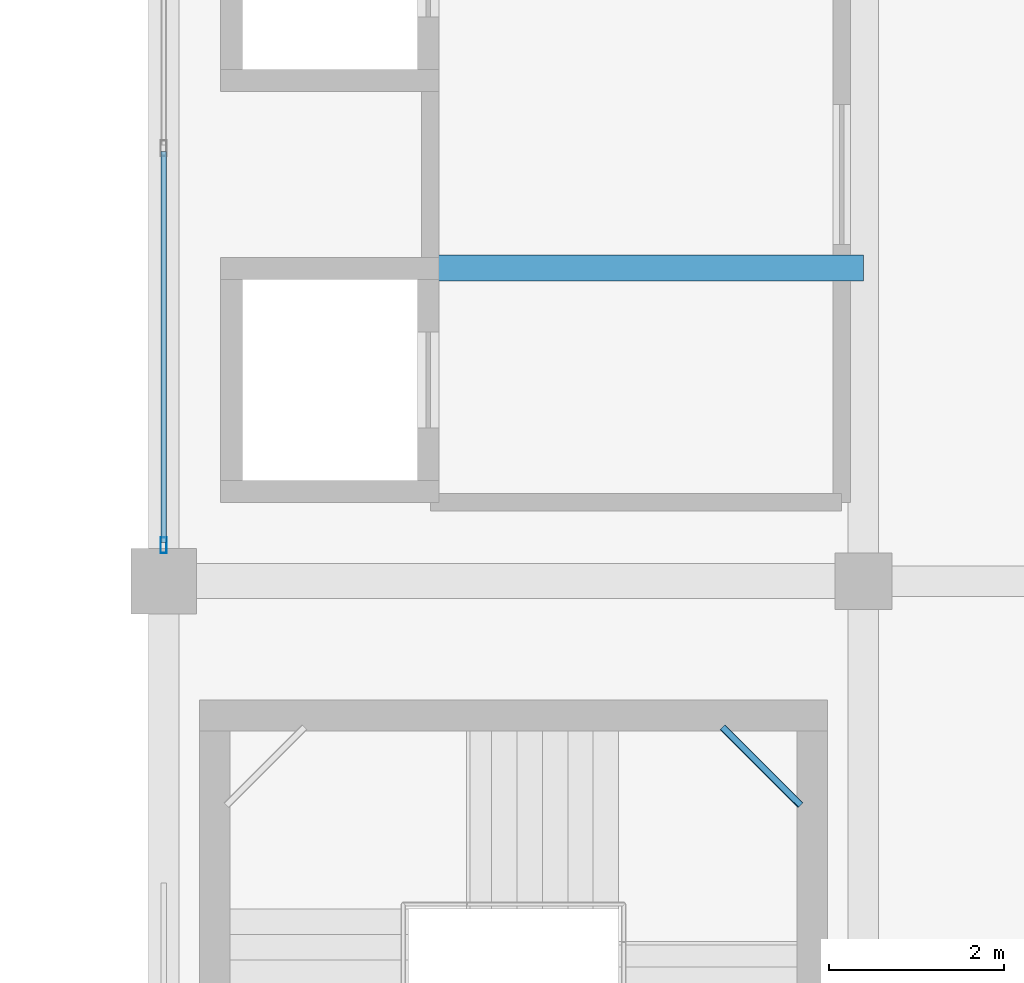
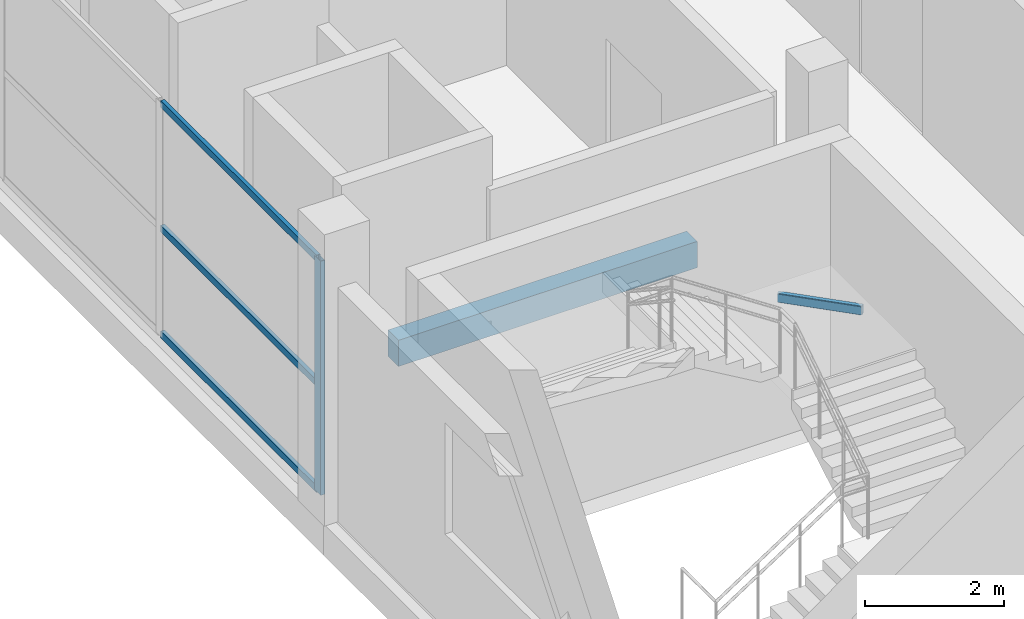
# One storey, part 6 of 67: 4 members, 2 beams, 1 element without a shape of its own.
"""IFC4 building model written with IfcOpenShell, lengths in metres."""

from ifc_helpers import new_model, si_unit, direction, frame, origin, origin_2d, place, context, subcontext, project, spatial, rectangle, hollow_rectangle, extrude, material, layer, layer_set, material_profile, profile_set, type_object, element, aggregate, save


model = new_model("IFC4")

# Units and contexts
model_context = context("Model", 3, precision=1e-05, world=origin(), true_north=direction((0.0, 1.0)))
body_context = subcontext(model_context, "Body", "Model", "MODEL_VIEW")
ifc_project = project(units=[si_unit("LENGTHUNIT", "METRE"), si_unit("AREAUNIT", "SQUARE_METRE"), si_unit("VOLUMEUNIT", "CUBIC_METRE"), si_unit("PLANEANGLEUNIT", "RADIAN"), si_unit("MASSUNIT", "GRAM", prefix="KILO")], contexts=[model_context])

# Site, building, storey
site_placement = place(None, origin())
site = spatial("IfcSite", under=ifc_project, at=site_placement, CompositionType="ELEMENT")
building_placement = place(site_placement, origin())
building = spatial("IfcBuilding", under=site, at=building_placement, Name="Sillaruma Civic Art Gallery", CompositionType="ELEMENT")
storey_placement = place(building_placement, frame((0.0, 0.0, 46.919921875)))
storey = spatial("IfcBuildingStorey", under=building, at=storey_placement, Name="L09", CompositionType="ELEMENT", Elevation=46.919921875)

# Beams
ifc_material_1 = material(Name="Concrete H35 (35 MPa)", Category="concrete")
ifc_material_profile_1 = material_profile(ifc_material_1, rectangle(XDim=0.300048828125, YDim=0.4599609375, at=origin_2d()), Name="RCB300x460")
ifc_profile_set_1 = profile_set([ifc_material_profile_1], Name="Concrete H35 (35 MPa)")
beam_type_1 = type_object("IfcBeamType", Name="BM-LINTEL-RCB300x460", PredefinedType="LINTEL", material=ifc_profile_set_1)
beam_1_placement = place(storey_placement, frame((65.050048828125, 43.179931640625, -0.47998046875), z_axis=(1.0, 0.0, 0.0), x_axis=(0.0, 1.0, 0.0)))
element("IfcBeam", 1, at=beam_1_placement, inside=storey, type_object=beam_type_1, Name="Core Portal Coupling Lintel BL-01 (L08:PL1)", PredefinedType="LINTEL", context=body_context, shape_type="SweptSolid", body=[
    extrude(rectangle(XDim=0.300048828125, YDim=0.4599609375, at=origin_2d()), origin(), (0.0, 0.0, 1.0), 4.949951171875),
])
ifc_material_2 = material(Name="Structural Steel ASTM A500 Gr.C", Category="steel")
ifc_material_profile_2 = material_profile(ifc_material_2, hollow_rectangle(XDim=0.080078125, YDim=0.159912109375, WallThickness=0.008056640625, InnerFilletRadius=0.008056640625, OuterFilletRadius=0.01611328125, at=origin_2d()), Name="HSS160x80x8")
ifc_profile_set_2 = profile_set([ifc_material_profile_2], Name="Structural Steel ASTM A500 Gr.C")
beam_type_2 = type_object("IfcBeamType", Name="BM-LND-HSS160", PredefinedType="BEAM", material=ifc_profile_set_2)
beam_2_placement = place(storey_placement, frame((68.389892578125, 37.929931640625, 2.440185546875), z_axis=(0.707203758046, -0.707009791025, 0.0), x_axis=(0.707009791025, 0.707203758046, 0.0)))
element("IfcBeam", 2, at=beam_2_placement, inside=storey, type_object=beam_type_2, Name="Stair Corner Landing Trimmer Beam (ST-03-L09-2)", PredefinedType="BEAM", context=body_context, shape_type="SweptSolid", body=[
    extrude(hollow_rectangle(XDim=0.080078125, YDim=0.159912109375, WallThickness=0.008056640625, InnerFilletRadius=0.008056640625, OuterFilletRadius=0.01611328125, at=origin_2d()), origin(), (0.0, 0.0, 1.0), 1.2587890625),
])

# Curtain wall, members
ifc_material_3 = material(Name="Thermally Broken Extruded Aluminium 6063-T6", Category="aluminium")
ifc_layer = layer(ifc_material_3, 0.179931640625, Name="Thermally Broken Extruded Aluminium 6063-T6")
ifc_layer_set = layer_set([ifc_layer], Name="Thermally Broken Extruded Aluminium 6063-T6")
curtain_wall_type = type_object("IfcCurtainWallType", Name="CW-UNI-61", PredefinedType="NOTDEFINED", material=ifc_layer_set)
curtain_wall_placement = place(storey_placement, origin())
curtain_wall = element("IfcCurtainWall", 3, at=curtain_wall_placement, inside=storey, type_object=curtain_wall_type, Name="Unitised Curtain Wall CW-61 (CW-L09-WBW-3)", PredefinedType="NOTDEFINED")
ifc_material_profile_3 = material_profile(ifc_material_3, hollow_rectangle(XDim=0.070068359375, YDim=0.179931640625, WallThickness=0.00390625, at=origin_2d()), Name="CWM70x180")
ifc_profile_set_3 = profile_set([ifc_material_profile_3], Name="Thermally Broken Extruded Aluminium 6063-T6")
member_type_1 = type_object("IfcMemberType", Name="MEM-MUL-CWM70x180", PredefinedType="MULLION", material=ifc_profile_set_3)
member_1_placement = place(storey_placement, frame((62.0, 40.010009765625, 0.0), z_axis=(0.0, 0.0, 1.0), x_axis=(-1.0, 0.0, 0.0)))
member_1 = element("IfcMember", 4, at=member_1_placement, type_object=member_type_1, Name="CW-61 mullion 1", PredefinedType="MULLION", context=body_context, shape_type="SweptSolid", body=[
    extrude(hollow_rectangle(XDim=0.070068359375, YDim=0.179931640625, WallThickness=0.00390625, at=origin_2d()), origin(), (0.0, 0.0, 1.0), 4.10009765625),
])
ifc_material_profile_4 = material_profile(ifc_material_3, hollow_rectangle(XDim=0.06494140625, YDim=0.1201171875, WallThickness=0.00341796875, at=origin_2d()), Name="CWT65x120")
ifc_profile_set_4 = profile_set([ifc_material_profile_4], Name="Thermally Broken Extruded Aluminium 6063-T6")
member_type_2 = type_object("IfcMemberType", Name="MEM-TRN-CWT65x120", PredefinedType="USERDEFINED", material=ifc_profile_set_4)
member_2_placement = place(storey_placement, frame((62.0, 40.044921875, 0.032470703125), z_axis=(0.0, 1.0, 0.0), x_axis=(-1.0, 0.0, 0.0)))
member_2 = element("IfcMember", 5, at=member_2_placement, type_object=member_type_2, Name="CW-61 transom 1.1", ObjectType="TRANSOM", PredefinedType="USERDEFINED", context=body_context, shape_type="SweptSolid", body=[
    extrude(hollow_rectangle(XDim=0.06494140625, YDim=0.1201171875, WallThickness=0.00341796875, at=origin_2d()), origin(), (0.0, 0.0, 1.0), 4.469970703125),
])
member_3_placement = place(storey_placement, frame((62.0, 40.044921875, 1.885986328125), z_axis=(0.0, 1.0, 0.0), x_axis=(-1.0, 0.0, 0.0)))
member_3 = element("IfcMember", 6, at=member_3_placement, type_object=member_type_2, Name="CW-61 transom 1.2", ObjectType="TRANSOM", PredefinedType="USERDEFINED", context=body_context, shape_type="SweptSolid", body=[
    extrude(hollow_rectangle(XDim=0.06494140625, YDim=0.1201171875, WallThickness=0.00341796875, at=origin_2d()), origin(), (0.0, 0.0, 1.0), 4.469970703125),
])
member_4_placement = place(storey_placement, frame((62.0, 40.044921875, 4.067626953125), z_axis=(0.0, 1.0, 0.0), x_axis=(-1.0, 0.0, 0.0)))
member_4 = element("IfcMember", 7, at=member_4_placement, type_object=member_type_2, Name="CW-61 transom 1.3", ObjectType="TRANSOM", PredefinedType="USERDEFINED", context=body_context, shape_type="SweptSolid", body=[
    extrude(hollow_rectangle(XDim=0.06494140625, YDim=0.1201171875, WallThickness=0.00341796875, at=origin_2d()), origin(), (0.0, 0.0, 1.0), 4.469970703125),
])
aggregate(curtain_wall, [member_1, member_2, member_3, member_4])

save(model, "model.ifc")
